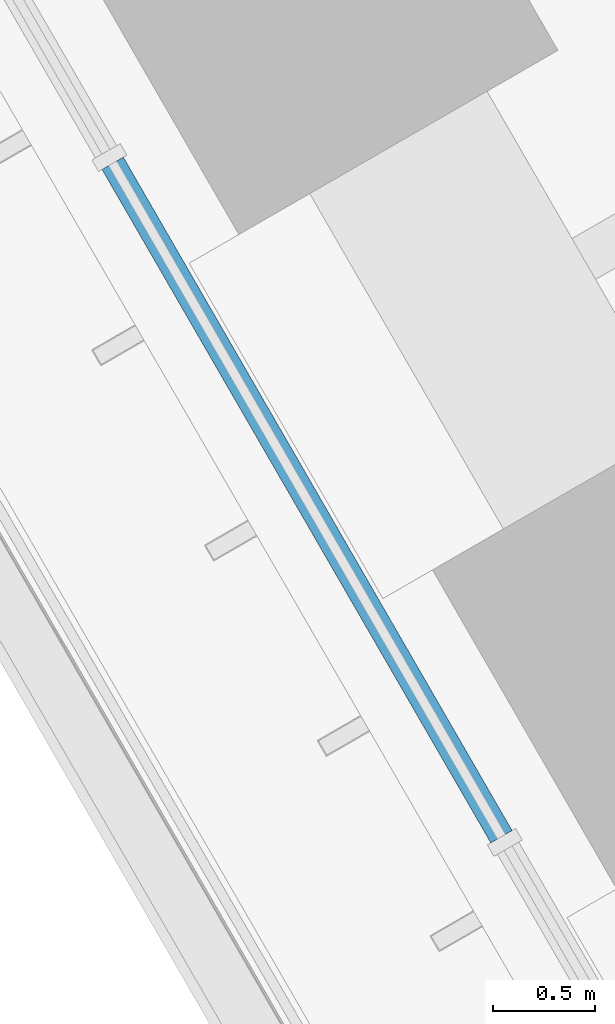
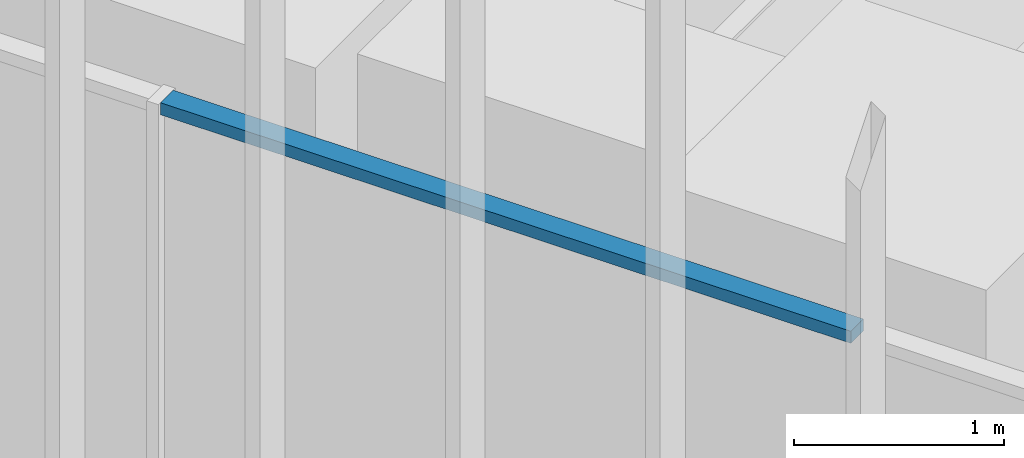
# One storey, part 7 of 228: 1 member, 1 element without a shape of its own.
"""IFC4 building model written with IfcOpenShell, lengths in metres."""

from ifc_helpers import new_model, si_unit, direction, frame, origin, origin_2d, place, context, subcontext, project, spatial, rectangle, extrude, material, material_profile, profile_set, type_object, element, aggregate, save


model = new_model("IFC4")

# Units and contexts
model_context = context("Model", 3, precision=1e-05, world=origin(), true_north=direction((0.0, 1.0)))
body_context = subcontext(model_context, "Body", "Model", "MODEL_VIEW")
ifc_project = project(units=[si_unit("LENGTHUNIT", "METRE"), si_unit("AREAUNIT", "SQUARE_METRE"), si_unit("VOLUMEUNIT", "CUBIC_METRE"), si_unit("PLANEANGLEUNIT", "RADIAN"), si_unit("MASSUNIT", "GRAM", prefix="KILO")], contexts=[model_context])

# Site, building, storey
site_placement = place(None, origin())
site = spatial("IfcSite", under=ifc_project, at=site_placement, CompositionType="ELEMENT")
building_placement = place(site_placement, origin())
building = spatial("IfcBuilding", under=site, at=building_placement, Name="Sandreach Pilgrim Tower", CompositionType="ELEMENT")
storey_placement = place(building_placement, frame((0.0, 0.0, 178.199951171875)))
storey = spatial("IfcBuildingStorey", under=building, at=storey_placement, Name="L44", CompositionType="ELEMENT", Elevation=178.199951171875)

# Curtain wall, member
ifc_material_1 = material(Name="Aluminium framed curtain wall", Category="aluminium")
curtain_wall_type = type_object("IfcCurtainWallType", Name="Upper hotel tower curtain wall", PredefinedType="NOTDEFINED", material=ifc_material_1)
curtain_wall_placement = place(storey_placement, origin())
curtain_wall = element("IfcCurtainWall", 1, at=curtain_wall_placement, inside=storey, type_object=curtain_wall_type, Name="CW-3 L44 SW", PredefinedType="NOTDEFINED")
ifc_material_2 = material(Name="Aluminium extrusion", Category="aluminium")
ifc_material_profile = material_profile(ifc_material_2, rectangle(XDim=0.1201171875, YDim=0.070068359375, at=origin_2d()), Name="CW-3T 120X70")
ifc_profile_set = profile_set([ifc_material_profile], Name="Aluminium extrusion")
member_type = type_object("IfcMemberType", Name="CW-3 transom", PredefinedType="USERDEFINED", material=ifc_profile_set)
member_placement = place(storey_placement, frame((-13.510986328125, -18.918701171875, 4.804931640625), z_axis=(-0.499974606132, 0.866040064445, 0.0), x_axis=(-0.866040064445, -0.499974606132, 0.0)))
member = element("IfcMember", 2, at=member_placement, type_object=member_type, Name="CW-3 head transom 3", ObjectType="TRANSOM", PredefinedType="USERDEFINED", context=body_context, shape_type="SweptSolid", body=[
    extrude(rectangle(XDim=0.1201171875, YDim=0.070068359375, at=origin_2d()), origin(), (0.0, 0.0, 1.0), 3.799560546875),
])
aggregate(curtain_wall, [member])

save(model, "model.ifc")
